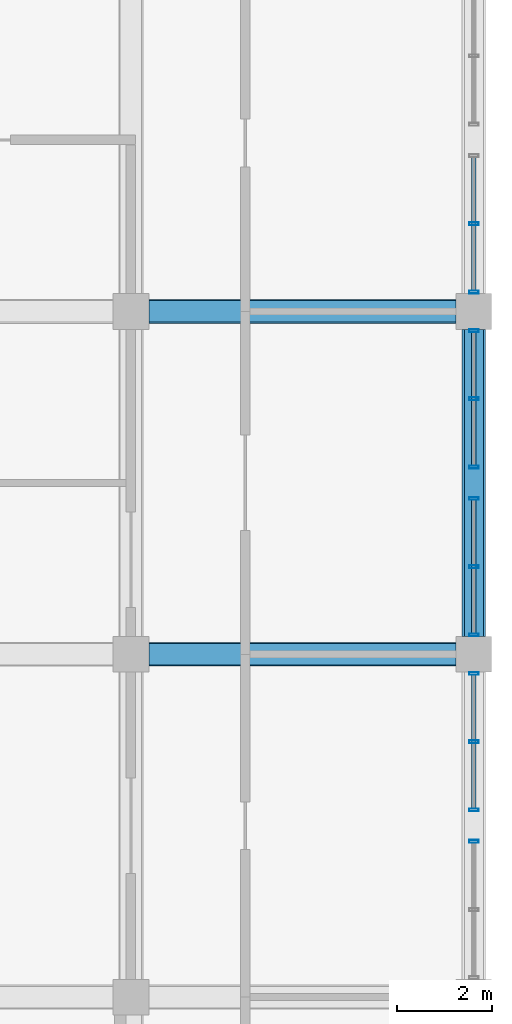
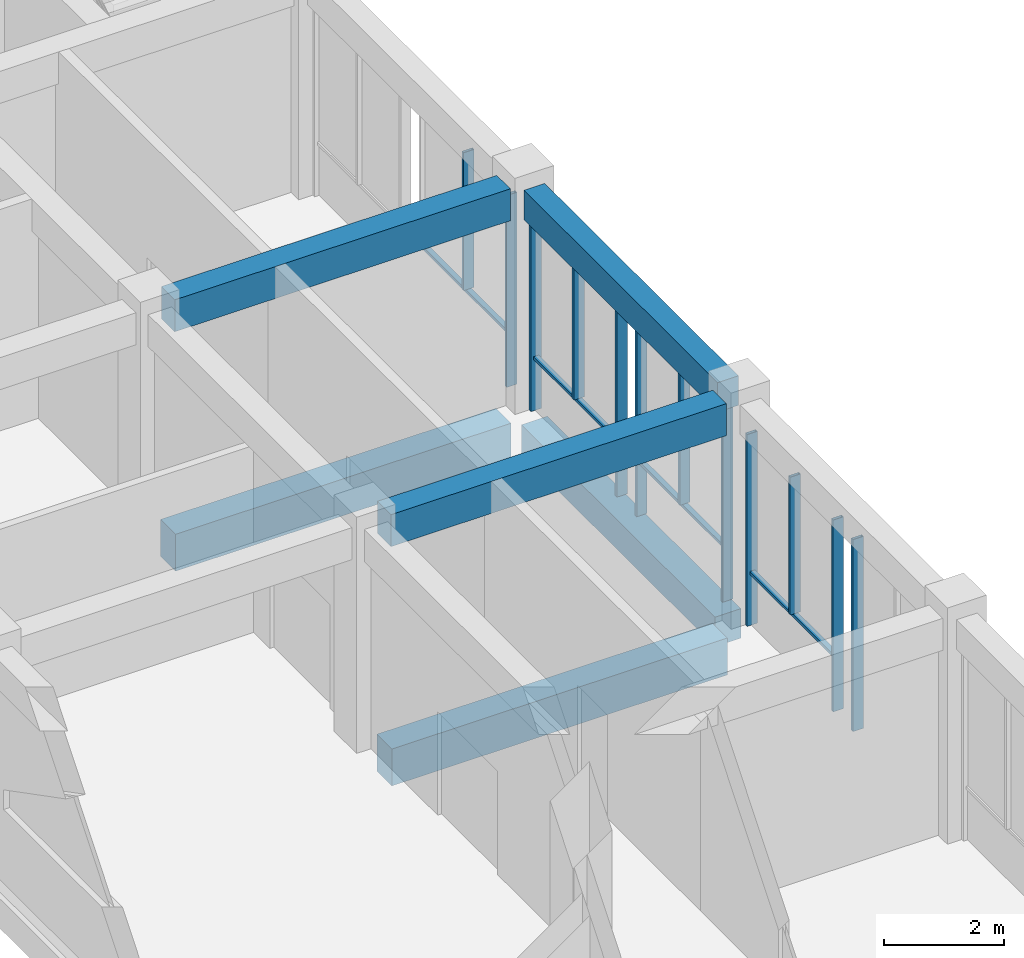
# One storey, part 20 of 39: 16 members, 6 beams, 5 elements without a shape of their own.
"""IFC4 building model written with IfcOpenShell, lengths in metres."""

import ifcopenshell
import ifcopenshell.guid

model = None  # the IFC model being written
_history = None  # IfcOwnerHistory: only IFC2X3 demands one
_inside = {}  # id of a spatial element -> (the spatial element, [elements in it])
_under = {}  # id of a project, library or spatial element -> (it, [spatial elements below it])
_declared = {}  # id of a project -> (the project, [libraries it declares])
_typed = {}  # id of a type object -> (the type object, [elements of that type])
_made_of = {}  # id of a material, layer set ... -> (it, [elements and type objects made of it])


def new_model(schema):
    """Start an empty IFC model of exactly this schema.

    Asked for "IFC4X3", IfcOpenShell would pick the latest addendum, in which some entities
    have other attributes; the version numbers below select the first issue.
    IFC2X3 requires an IfcOwnerHistory on every rooted entity: one is made here for all.
    """
    global model, _history
    if schema == "IFC4X3":
        model = ifcopenshell.file(schema_version=(4, 3, 0, 0))
    else:
        model = ifcopenshell.file(schema=schema)
    _inside.clear()
    _under.clear()
    _declared.clear()
    _typed.clear()
    _made_of.clear()
    _history = None
    if model.schema == "IFC2X3":
        org = make("IfcOrganization", Name="unknown")
        user = make(
            "IfcPersonAndOrganization",
            ThePerson=make("IfcPerson", FamilyName="unknown"),
            TheOrganization=org,
        )
        app = make(
            "IfcApplication",
            ApplicationDeveloper=org,
            Version="unknown",
            ApplicationFullName="unknown",
            ApplicationIdentifier="unknown",
        )
        _history = make(
            "IfcOwnerHistory",
            OwningUser=user,
            OwningApplication=app,
            ChangeAction="ADDED",
            CreationDate=0,
        )
    return model


def make(cls, **values):
    """One entity of the class cls with the attributes given. An attribute that is None is left unset."""
    return model.create_entity(
        cls, **{name: value for name, value in values.items() if value is not None}
    )


def rooted(cls, **values):
    """An entity with a GlobalId (a new one), such as an element, a storey or a relation."""
    return make(cls, GlobalId=ifcopenshell.guid.new(), OwnerHistory=_history, **values)


def si_unit(unit_type, name, prefix=None):
    """IfcSIUnit, for example si_unit("LENGTHUNIT", "METRE", prefix="MILLI")."""
    return make("IfcSIUnit", UnitType=unit_type, Prefix=prefix, Name=name)


def assignment(units):
    """IfcUnitAssignment: the units of a project."""
    return None if units is None else make("IfcUnitAssignment", Units=units)


def point(xyz):
    """IfcCartesianPoint."""
    return None if xyz is None else make("IfcCartesianPoint", Coordinates=xyz)


def direction(xyz):
    """IfcDirection."""
    return None if xyz is None else make("IfcDirection", DirectionRatios=xyz)


def frame(location, z_axis=None, x_axis=None):
    """IfcAxis2Placement3D, a coordinate frame: its origin and axes. An axis left out is left unset."""
    return make(
        "IfcAxis2Placement3D",
        Location=point(location),
        Axis=direction(z_axis),
        RefDirection=direction(x_axis),
    )


def frame_2d(location, x_axis=None):
    """IfcAxis2Placement2D, a coordinate frame in the plane: its origin and x axis."""
    return make(
        "IfcAxis2Placement2D", Location=point(location), RefDirection=direction(x_axis)
    )


def origin():
    """The frame at (0, 0, 0) with its axes left unset."""
    return frame((0.0, 0.0, 0.0))


def origin_2d():
    """The frame at (0, 0) in the plane with its x axis left unset."""
    return frame_2d((0.0, 0.0))


def place(relative_to, where):
    """IfcLocalPlacement: puts the frame where relative to a parent placement (None: the world)."""
    return make(
        "IfcLocalPlacement", PlacementRelTo=relative_to, RelativePlacement=where
    )


def context(
    kind, dimensions, precision=None, world=None, true_north=None, identifier=None
):
    """IfcGeometricRepresentationContext, for example the 3D "Model" context."""
    return make(
        "IfcGeometricRepresentationContext",
        ContextIdentifier=identifier,
        ContextType=kind,
        CoordinateSpaceDimension=dimensions,
        Precision=precision,
        WorldCoordinateSystem=world,
        TrueNorth=true_north,
    )


def subcontext(parent, identifier, kind, view, scale=None):
    """IfcGeometricRepresentationSubContext, for example "Body" below "Model"."""
    return make(
        "IfcGeometricRepresentationSubContext",
        ContextIdentifier=identifier,
        ContextType=kind,
        ParentContext=parent,
        TargetScale=scale,
        TargetView=view,
    )


def project(units=None, contexts=None):
    """IfcProject with its units and contexts."""
    return rooted(
        "IfcProject",
        Name="project",
        RepresentationContexts=contexts,
        UnitsInContext=assignment(units),
    )


def spatial(cls, under=None, at=None, **own):
    """A site, building, storey or space (cls), placed at a placement, below another one or the project."""
    s = rooted(cls, ObjectPlacement=at, **own)
    if under is not None:
        _under.setdefault(under.id(), (under, []))[1].append(s)
    return s


def profile(cls, at=None, kind="AREA", **sizes):
    """A parametric profile (cls). Its sizes go by their IFC names, for example OverallWidth=200.0."""
    return make(cls, ProfileType=kind, Position=at, **sizes)


def rectangle(**sizes):
    """IfcRectangleProfileDef."""
    return profile("IfcRectangleProfileDef", **sizes)


def hollow_rectangle(**sizes):
    """IfcRectangleHollowProfileDef."""
    return profile("IfcRectangleHollowProfileDef", **sizes)


def extrude(swept, where, along, depth):
    """IfcExtrudedAreaSolid: the profile swept, set in the frame where, extruded along a direction by depth."""
    return make(
        "IfcExtrudedAreaSolid",
        SweptArea=swept,
        Position=where,
        ExtrudedDirection=direction(along),
        Depth=depth,
    )


def shape(context_of_items, identifier, shape_type, items):
    """IfcShapeRepresentation: the items that make up one representation, for example the "Body"."""
    return make(
        "IfcShapeRepresentation",
        ContextOfItems=context_of_items,
        RepresentationIdentifier=identifier,
        RepresentationType=shape_type,
        Items=items,
    )


def material(Name=None, Category=None):
    """IfcMaterial."""
    return make("IfcMaterial", Name=Name, Category=Category)


def material_profile(
    of_material, cross_section, Name=None, Category=None, Priority=None
):
    """IfcMaterialProfile: a cross section and its material."""
    return make(
        "IfcMaterialProfile",
        Name=Name,
        Material=of_material,
        Profile=cross_section,
        Priority=Priority,
        Category=Category,
    )


def profile_set(profiles, Name=None, composite=None):
    """IfcMaterialProfileSet."""
    return make(
        "IfcMaterialProfileSet",
        Name=Name,
        MaterialProfiles=profiles,
        CompositeProfile=composite,
    )


def made_of(thing, what):
    """Note that an element or type object is made of a material, layer set ...; save() writes the relation."""
    if what is not None:
        _made_of.setdefault(what.id(), (what, []))[1].append(thing)
    return thing


def type_object(cls, material=None, **own):
    """A type object (cls), such as IfcWallType, which elements share."""
    return made_of(rooted(cls, **own), material)


def element(
    cls,
    number,
    at=None,
    inside=None,
    cuts=None,
    type_object=None,
    material=None,
    context=None,
    identifier="Body",
    shape_type=None,
    held_by="IfcProductDefinitionShape",
    body=None,
    shapes=None,
    **own,
):
    """One element of the class cls, such as IfcWall. Its Tag is "e" and its number.

    at: its placement. inside: the storey or other place that contains it. cuts: it is an
    opening in that element (IfcRelVoidsElement). A single representation is given by context,
    identifier, shape_type and body (its items); several are given by shapes. held_by: the class
    of the entity that holds the representations. save() writes the other relations.
    """
    e = rooted(cls, Tag="e%d" % number, ObjectPlacement=at, **own)
    if body is not None:
        shapes = [shape(context, identifier, shape_type, body)]
    if shapes is not None:
        e.Representation = make(held_by, Representations=shapes)
    if inside is not None:
        _inside.setdefault(inside.id(), (inside, []))[1].append(e)
    if cuts is not None:
        rooted(
            "IfcRelVoidsElement", RelatingBuildingElement=cuts, RelatedOpeningElement=e
        )
    if type_object is not None:
        _typed.setdefault(type_object.id(), (type_object, []))[1].append(e)
    return made_of(e, material)


def aggregate(whole, parts):
    """IfcRelAggregates: a whole, such as a stair, and the parts it consists of."""
    return rooted("IfcRelAggregates", RelatingObject=whole, RelatedObjects=parts)


def save(model, path):
    """Write the relations noted so far, then the file.

    IfcRelAggregates (storeys below a building ...), IfcRelContainedInSpatialStructure (elements
    in a storey), IfcRelDefinesByType, IfcRelAssociatesMaterial and IfcRelDeclares: one each for
    every whole, place, type object, material and project.
    """
    for whole, parts in _under.values():
        aggregate(whole, parts)
    for where, things in _inside.values():
        rooted(
            "IfcRelContainedInSpatialStructure",
            RelatedElements=things,
            RelatingStructure=where,
        )
    for kind, things in _typed.values():
        rooted("IfcRelDefinesByType", RelatedObjects=things, RelatingType=kind)
    for what, things in _made_of.values():
        rooted("IfcRelAssociatesMaterial", RelatedObjects=things, RelatingMaterial=what)
    for by, libraries in _declared.values():
        rooted("IfcRelDeclares", RelatingContext=by, RelatedDefinitions=libraries)
    model.write(path)


model = new_model("IFC4")

# Units and contexts
model_context = context("Model", 3, precision=1e-05, world=origin(), true_north=direction((0.0, 1.0)))
body_context = subcontext(model_context, "Body", "Model", "MODEL_VIEW")
ifc_project = project(units=[si_unit("LENGTHUNIT", "METRE"), si_unit("AREAUNIT", "SQUARE_METRE"), si_unit("VOLUMEUNIT", "CUBIC_METRE"), si_unit("PLANEANGLEUNIT", "RADIAN"), si_unit("MASSUNIT", "GRAM", prefix="KILO")], contexts=[model_context])

# Site, building, storey
site_placement = place(None, origin())
site = spatial("IfcSite", under=ifc_project, at=site_placement, CompositionType="ELEMENT")
building_placement = place(site_placement, origin())
building = spatial("IfcBuilding", under=site, at=building_placement, Name="Silangan Lancet Faculty of Sciences", CompositionType="ELEMENT")
storey_placement = place(building_placement, frame((0.0, 0.0, 26.39990234375)))
storey = spatial("IfcBuildingStorey", under=building, at=storey_placement, Name="L05", CompositionType="ELEMENT", Elevation=26.39990234375)

# Beams
ifc_material_1 = material(Name="Concrete C40/50", Category="concrete")
ifc_material_profile_1 = material_profile(ifc_material_1, rectangle(XDim=0.39990234375, YDim=0.60009765625, at=origin_2d()), Name="RC 400x600")
ifc_profile_set_1 = profile_set([ifc_material_profile_1], Name="Concrete C40/50")
beam_type_1 = type_object("IfcBeamType", Name="BEAM RC 400x600", PredefinedType="BEAM", material=ifc_profile_set_1)
beam_1_placement = place(storey_placement, frame((86.39990234375, 36.375, 4.2001953125), z_axis=(0.0, 1.0, 0.0), x_axis=(-1.0, 0.0, 0.0)))
element("IfcBeam", 1, at=beam_1_placement, inside=storey, type_object=beam_type_1, Name="RB-L05-13F-13G", PredefinedType="BEAM", context=body_context, shape_type="SweptSolid", body=[
    extrude(rectangle(XDim=0.39990234375, YDim=0.60009765625, at=origin_2d()), origin(), (0.0, 0.0, 1.0), 6.449951171875),
])
ifc_material_2 = material(Name="Concrete C40/50", Category="concrete")
ifc_material_profile_2 = material_profile(ifc_material_2, rectangle(XDim=0.449951171875, YDim=0.64990234375, at=origin_2d()), Name="RC 450x650")
ifc_profile_set_2 = profile_set([ifc_material_profile_2], Name="Concrete C40/50")
beam_type_2 = type_object("IfcBeamType", Name="BEAM RC 450x650", PredefinedType="BEAM", material=ifc_profile_set_2)
for number, where, z_axis, x_axis, name in (
    (2, (79.574951171875, 36.0, 4.175048828125), (1.0, 0.0, 0.0), (0.0, 1.0, 0.0), "RB-L05-12F-13F"),
    (3, (79.574951171875, 43.199951171875, 4.175048828125), (1.0, 0.0, 0.0), (0.0, 1.0, 0.0), "RB-L05-12G-13G"),
):
    element("IfcBeam", number, at=place(storey_placement, frame(where, z_axis=z_axis, x_axis=x_axis)), inside=storey, type_object=beam_type_2, Name=name, PredefinedType="BEAM", context=body_context, shape_type="SweptSolid", body=[
        extrude(rectangle(XDim=0.449951171875, YDim=0.64990234375, at=origin_2d()), origin(), (0.0, 0.0, 1.0), 6.449951171875),
    ])
ifc_material_3 = material(Name="Concrete C40/50", Category="concrete")
ifc_material_profile_3 = material_profile(ifc_material_3, rectangle(XDim=0.5, YDim=0.60009765625, at=origin_2d()), Name="RC 500x600")
ifc_profile_set_3 = profile_set([ifc_material_profile_3], Name="Concrete C40/50")
beam_type_3 = type_object("IfcBeamType", Name="BEAM RC 500x600", PredefinedType="BEAM", material=ifc_profile_set_3)
beam_2_placement = place(storey_placement, frame((86.39990234375, 36.375, -0.5498046875), z_axis=(0.0, 1.0, 0.0), x_axis=(-1.0, 0.0, 0.0)))
element("IfcBeam", 4, at=beam_2_placement, inside=storey, type_object=beam_type_3, Name="BM-L05-13F-13G", PredefinedType="BEAM", context=body_context, shape_type="SweptSolid", body=[
    extrude(rectangle(XDim=0.5, YDim=0.60009765625, at=origin_2d()), origin(), (0.0, 0.0, 1.0), 6.449951171875),
])
ifc_material_4 = material(Name="Concrete C40/50", Category="concrete")
ifc_material_profile_4 = material_profile(ifc_material_4, rectangle(XDim=0.5, YDim=0.75, at=origin_2d()), Name="RC 500x750")
ifc_profile_set_4 = profile_set([ifc_material_profile_4], Name="Concrete C40/50")
beam_type_4 = type_object("IfcBeamType", Name="BEAM RC 500x750", PredefinedType="BEAM", material=ifc_profile_set_4)
for number, where, z_axis, x_axis, name in (
    (5, (79.574951171875, 36.0, -0.625), (1.0, 0.0, 0.0), (0.0, 1.0, 0.0), "BM-L05-12F-13F"),
    (6, (79.574951171875, 43.199951171875, -0.625), (1.0, 0.0, 0.0), (0.0, 1.0, 0.0), "BM-L05-12G-13G"),
):
    element("IfcBeam", number, at=place(storey_placement, frame(where, z_axis=z_axis, x_axis=x_axis)), inside=storey, type_object=beam_type_4, Name=name, PredefinedType="BEAM", context=body_context, shape_type="SweptSolid", body=[
        extrude(rectangle(XDim=0.5, YDim=0.75, at=origin_2d()), origin(), (0.0, 0.0, 1.0), 6.449951171875),
    ])

# Curtain wall, member
ifc_material_5 = material(Name="Aluminium framed curtain wall with insulated glass", Category="aluminium")
curtain_wall_type = type_object("IfcCurtainWallType", Name="CW1 Commons and east block glazing", PredefinedType="NOTDEFINED", material=ifc_material_5)
curtain_wall_1_placement = place(storey_placement, origin())
curtain_wall_1 = element("IfcCurtainWall", 7, at=curtain_wall_1_placement, inside=storey, type_object=curtain_wall_type, Name="CW1 East commons L05 bay 7", PredefinedType="NOTDEFINED")
ifc_material_6 = material(Name="Aluminium 6063-T6 extrusion", Category="aluminium")
ifc_material_profile_5 = material_profile(ifc_material_6, hollow_rectangle(XDim=0.06005859375, YDim=0.199951171875, WallThickness=0.00390625, at=origin_2d()), Name="AL BOX 60x200x4")
ifc_profile_set_5 = profile_set([ifc_material_profile_5], Name="Aluminium 6063-T6 extrusion")
member_type_1 = type_object("IfcMemberType", Name="CM1 Mullion 60x200", PredefinedType="MULLION", material=ifc_profile_set_5)
member_1_placement = place(storey_placement, frame((86.39990234375, 32.06982421875, 0.0), z_axis=(0.0, 0.0, 1.0), x_axis=(0.0, 1.0, 0.0)))
member_1 = element("IfcMember", 8, at=member_1_placement, type_object=member_type_1, Name="CW1 East commons L05 bay 7 mullion 2", PredefinedType="MULLION", context=body_context, shape_type="SweptSolid", body=[
    extrude(hollow_rectangle(XDim=0.06005859375, YDim=0.199951171875, WallThickness=0.00390625, at=origin_2d()), origin(), (0.0, 0.0, 1.0), 3.900146484375),
])
aggregate(curtain_wall_1, [member_1])

# Curtain wall, members
curtain_wall_2_placement = place(storey_placement, origin())
curtain_wall_2 = element("IfcCurtainWall", 9, at=curtain_wall_2_placement, inside=storey, type_object=curtain_wall_type, Name="CW1 East commons L05 bay 8", PredefinedType="NOTDEFINED")
member_2_placement = place(storey_placement, frame((86.39990234375, 32.72998046875, 0.0), z_axis=(0.0, 0.0, 1.0), x_axis=(0.0, 1.0, 0.0)))
member_2 = element("IfcMember", 10, at=member_2_placement, type_object=member_type_1, Name="CW1 East commons L05 bay 8 mullion 1", PredefinedType="MULLION", context=body_context, shape_type="SweptSolid", body=[
    extrude(hollow_rectangle(XDim=0.06005859375, YDim=0.199951171875, WallThickness=0.00390625, at=origin_2d()), origin(), (0.0, 0.0, 1.0), 3.900146484375),
])
member_3_placement = place(storey_placement, frame((86.39990234375, 35.594970703125, 0.0), z_axis=(0.0, 0.0, 1.0), x_axis=(0.0, 1.0, 0.0)))
member_3 = element("IfcMember", 11, at=member_3_placement, type_object=member_type_1, Name="CW1 East commons L05 bay 8 mullion 2", PredefinedType="MULLION", context=body_context, shape_type="SweptSolid", body=[
    extrude(hollow_rectangle(XDim=0.06005859375, YDim=0.199951171875, WallThickness=0.00390625, at=origin_2d()), origin(), (0.0, 0.0, 1.0), 3.900146484375),
])
member_4_placement = place(storey_placement, frame((86.39990234375, 34.162353515625, 1.10009765625), z_axis=(0.0, 0.0, 1.0), x_axis=(0.0, 1.0, 0.0)))
member_4 = element("IfcMember", 12, at=member_4_placement, type_object=member_type_1, Name="CW1 East commons L05 bay 8 mullion 3", PredefinedType="MULLION", context=body_context, shape_type="SweptSolid", body=[
    extrude(hollow_rectangle(XDim=0.06005859375, YDim=0.199951171875, WallThickness=0.00390625, at=origin_2d()), origin(), (0.0, 0.0, 1.0), 2.800048828125),
])

curtain_wall_3_placement = place(storey_placement, origin())
curtain_wall_3 = element("IfcCurtainWall", 13, at=curtain_wall_3_placement, inside=storey, type_object=curtain_wall_type, Name="CW1 East commons L05 bay 9", PredefinedType="NOTDEFINED")
member_5_placement = place(storey_placement, frame((86.39990234375, 36.405029296875, 0.0), z_axis=(0.0, 0.0, 1.0), x_axis=(0.0, 1.0, 0.0)))
member_5 = element("IfcMember", 14, at=member_5_placement, type_object=member_type_1, Name="CW1 East commons L05 bay 9 mullion 1", PredefinedType="MULLION", context=body_context, shape_type="SweptSolid", body=[
    extrude(hollow_rectangle(XDim=0.06005859375, YDim=0.199951171875, WallThickness=0.00390625, at=origin_2d()), origin(), (0.0, 0.0, 1.0), 3.900146484375),
])
member_6_placement = place(storey_placement, frame((86.39990234375, 39.27001953125, 0.0), z_axis=(0.0, 0.0, 1.0), x_axis=(0.0, 1.0, 0.0)))
member_6 = element("IfcMember", 15, at=member_6_placement, type_object=member_type_1, Name="CW1 East commons L05 bay 9 mullion 2", PredefinedType="MULLION", context=body_context, shape_type="SweptSolid", body=[
    extrude(hollow_rectangle(XDim=0.06005859375, YDim=0.199951171875, WallThickness=0.00390625, at=origin_2d()), origin(), (0.0, 0.0, 1.0), 3.900146484375),
])
member_7_placement = place(storey_placement, frame((86.39990234375, 37.837646484375, 1.10009765625), z_axis=(0.0, 0.0, 1.0), x_axis=(0.0, 1.0, 0.0)))
member_7 = element("IfcMember", 16, at=member_7_placement, type_object=member_type_1, Name="CW1 East commons L05 bay 9 mullion 3", PredefinedType="MULLION", context=body_context, shape_type="SweptSolid", body=[
    extrude(hollow_rectangle(XDim=0.06005859375, YDim=0.199951171875, WallThickness=0.00390625, at=origin_2d()), origin(), (0.0, 0.0, 1.0), 2.800048828125),
])

curtain_wall_4_placement = place(storey_placement, origin())
curtain_wall_4 = element("IfcCurtainWall", 17, at=curtain_wall_4_placement, inside=storey, type_object=curtain_wall_type, Name="CW1 East commons L05 bay 10", PredefinedType="NOTDEFINED")
member_8_placement = place(storey_placement, frame((86.39990234375, 39.93017578125, 0.0), z_axis=(0.0, 0.0, 1.0), x_axis=(0.0, 1.0, 0.0)))
member_8 = element("IfcMember", 18, at=member_8_placement, type_object=member_type_1, Name="CW1 East commons L05 bay 10 mullion 1", PredefinedType="MULLION", context=body_context, shape_type="SweptSolid", body=[
    extrude(hollow_rectangle(XDim=0.06005859375, YDim=0.199951171875, WallThickness=0.00390625, at=origin_2d()), origin(), (0.0, 0.0, 1.0), 3.900146484375),
])
member_9_placement = place(storey_placement, frame((86.39990234375, 42.794921875, 0.0), z_axis=(0.0, 0.0, 1.0), x_axis=(0.0, 1.0, 0.0)))
member_9 = element("IfcMember", 19, at=member_9_placement, type_object=member_type_1, Name="CW1 East commons L05 bay 10 mullion 2", PredefinedType="MULLION", context=body_context, shape_type="SweptSolid", body=[
    extrude(hollow_rectangle(XDim=0.06005859375, YDim=0.199951171875, WallThickness=0.00390625, at=origin_2d()), origin(), (0.0, 0.0, 1.0), 3.900146484375),
])
member_10_placement = place(storey_placement, frame((86.39990234375, 41.362548828125, 1.10009765625), z_axis=(0.0, 0.0, 1.0), x_axis=(0.0, 1.0, 0.0)))
member_10 = element("IfcMember", 20, at=member_10_placement, type_object=member_type_1, Name="CW1 East commons L05 bay 10 mullion 3", PredefinedType="MULLION", context=body_context, shape_type="SweptSolid", body=[
    extrude(hollow_rectangle(XDim=0.06005859375, YDim=0.199951171875, WallThickness=0.00390625, at=origin_2d()), origin(), (0.0, 0.0, 1.0), 2.800048828125),
])

curtain_wall_5_placement = place(storey_placement, origin())
curtain_wall_5 = element("IfcCurtainWall", 21, at=curtain_wall_5_placement, inside=storey, type_object=curtain_wall_type, Name="CW1 East commons L05 bay 11", PredefinedType="NOTDEFINED")
member_11_placement = place(storey_placement, frame((86.39990234375, 43.60498046875, 0.0), z_axis=(0.0, 0.0, 1.0), x_axis=(0.0, 1.0, 0.0)))
member_11 = element("IfcMember", 22, at=member_11_placement, type_object=member_type_1, Name="CW1 East commons L05 bay 11 mullion 1", PredefinedType="MULLION", context=body_context, shape_type="SweptSolid", body=[
    extrude(hollow_rectangle(XDim=0.06005859375, YDim=0.199951171875, WallThickness=0.00390625, at=origin_2d()), origin(), (0.0, 0.0, 1.0), 3.900146484375),
])
member_12_placement = place(storey_placement, frame((86.39990234375, 45.03759765625, 1.10009765625), z_axis=(0.0, 0.0, 1.0), x_axis=(0.0, 1.0, 0.0)))
member_12 = element("IfcMember", 23, at=member_12_placement, type_object=member_type_1, Name="CW1 East commons L05 bay 11 mullion 3", PredefinedType="MULLION", context=body_context, shape_type="SweptSolid", body=[
    extrude(hollow_rectangle(XDim=0.06005859375, YDim=0.199951171875, WallThickness=0.00390625, at=origin_2d()), origin(), (0.0, 0.0, 1.0), 2.800048828125),
])

# Member
ifc_material_7 = material(Name="Aluminium 6063-T6 extrusion", Category="aluminium")
ifc_material_profile_6 = material_profile(ifc_material_7, hollow_rectangle(XDim=0.10009765625, YDim=0.06005859375, WallThickness=0.0029296875, at=origin_2d()), Name="AL BOX 100x60x3")
ifc_profile_set_6 = profile_set([ifc_material_profile_6], Name="Aluminium 6063-T6 extrusion")
member_type_2 = type_object("IfcMemberType", Name="CT1 Transom 100x60", PredefinedType="USERDEFINED", material=ifc_profile_set_6)
member_13_placement = place(storey_placement, frame((86.39990234375, 32.760009765625, 1.070068359375), z_axis=(0.0, 1.0, 0.0), x_axis=(-1.0, 0.0, 0.0)))
member_13 = element("IfcMember", 24, at=member_13_placement, type_object=member_type_2, Name="CW1 East commons L05 bay 8 transom 1", ObjectType="TRANSOM", PredefinedType="USERDEFINED", context=body_context, shape_type="SweptSolid", body=[
    extrude(hollow_rectangle(XDim=0.10009765625, YDim=0.06005859375, WallThickness=0.0029296875, at=origin_2d()), origin(), (0.0, 0.0, 1.0), 2.804931640625),
])

aggregate(curtain_wall_2, [member_2, member_3, member_4, member_13])

member_14_placement = place(storey_placement, frame((86.39990234375, 36.43505859375, 1.070068359375), z_axis=(0.0, 1.0, 0.0), x_axis=(-1.0, 0.0, 0.0)))
member_14 = element("IfcMember", 25, at=member_14_placement, type_object=member_type_2, Name="CW1 East commons L05 bay 9 transom 1", ObjectType="TRANSOM", PredefinedType="USERDEFINED", context=body_context, shape_type="SweptSolid", body=[
    extrude(hollow_rectangle(XDim=0.10009765625, YDim=0.06005859375, WallThickness=0.0029296875, at=origin_2d()), origin(), (0.0, 0.0, 1.0), 2.804931640625),
])

aggregate(curtain_wall_3, [member_5, member_6, member_7, member_14])

member_15_placement = place(storey_placement, frame((86.39990234375, 39.960205078125, 1.070068359375), z_axis=(0.0, 1.0, 0.0), x_axis=(-1.0, 0.0, 0.0)))
member_15 = element("IfcMember", 26, at=member_15_placement, type_object=member_type_2, Name="CW1 East commons L05 bay 10 transom 1", ObjectType="TRANSOM", PredefinedType="USERDEFINED", context=body_context, shape_type="SweptSolid", body=[
    extrude(hollow_rectangle(XDim=0.10009765625, YDim=0.06005859375, WallThickness=0.0029296875, at=origin_2d()), origin(), (0.0, 0.0, 1.0), 2.8046875),
])

aggregate(curtain_wall_4, [member_8, member_9, member_10, member_15])

member_16_placement = place(storey_placement, frame((86.39990234375, 43.635009765625, 1.070068359375), z_axis=(0.0, 1.0, 0.0), x_axis=(-1.0, 0.0, 0.0)))
member_16 = element("IfcMember", 27, at=member_16_placement, type_object=member_type_2, Name="CW1 East commons L05 bay 11 transom 1", ObjectType="TRANSOM", PredefinedType="USERDEFINED", context=body_context, shape_type="SweptSolid", body=[
    extrude(hollow_rectangle(XDim=0.10009765625, YDim=0.06005859375, WallThickness=0.0029296875, at=origin_2d()), origin(), (0.0, 0.0, 1.0), 2.804931640625),
])

aggregate(curtain_wall_5, [member_11, member_12, member_16])

save(model, "model.ifc")
